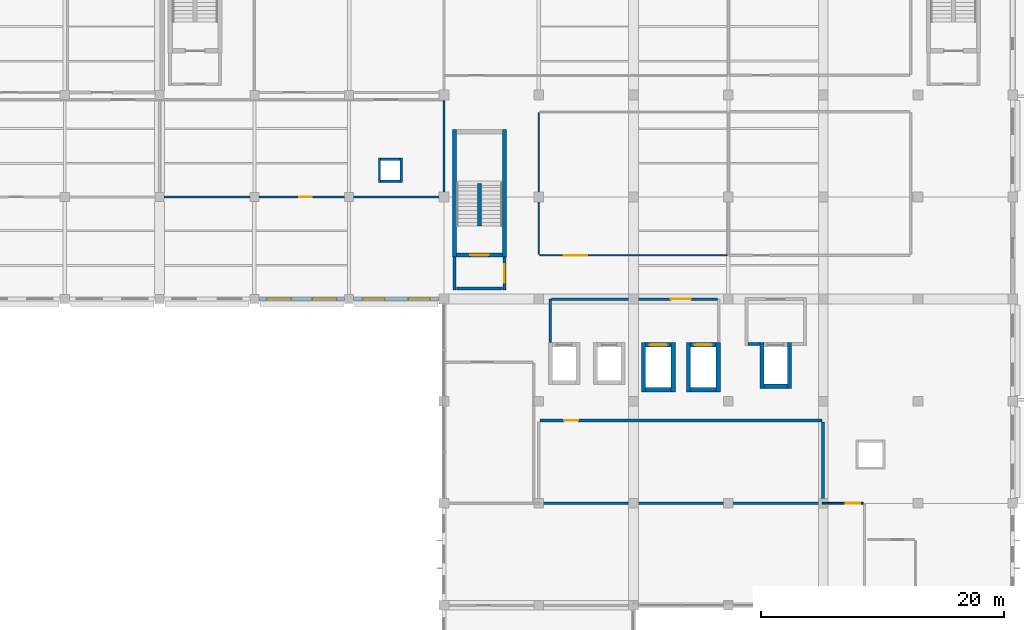
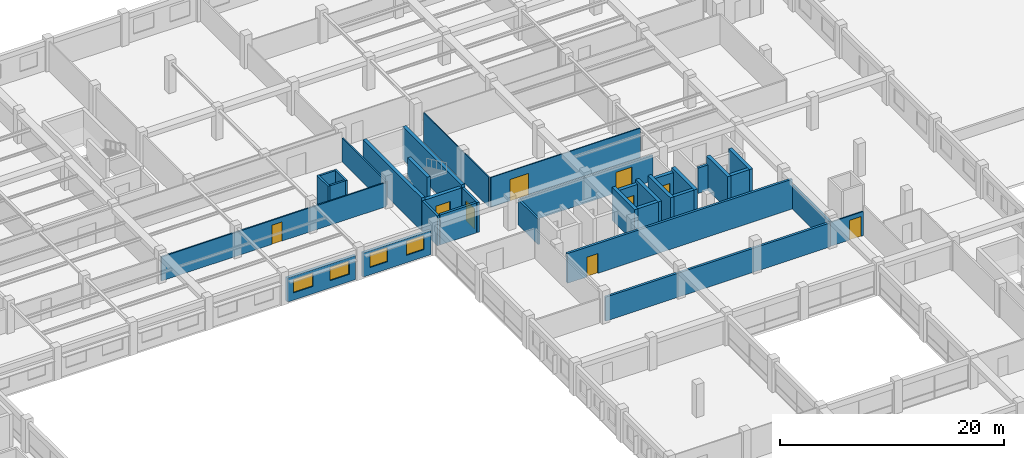
# One storey, part 41 of 50: 35 walls, 9 doors, 4 windows, 13 openings.
"""IFC4 building model written with IfcOpenShell, lengths in metres."""

import ifcopenshell
import ifcopenshell.guid

model = None  # the IFC model being written
_history = None  # IfcOwnerHistory: only IFC2X3 demands one
_inside = {}  # id of a spatial element -> (the spatial element, [elements in it])
_under = {}  # id of a project, library or spatial element -> (it, [spatial elements below it])
_declared = {}  # id of a project -> (the project, [libraries it declares])
_typed = {}  # id of a type object -> (the type object, [elements of that type])
_made_of = {}  # id of a material, layer set ... -> (it, [elements and type objects made of it])


def new_model(schema):
    """Start an empty IFC model of exactly this schema.

    Asked for "IFC4X3", IfcOpenShell would pick the latest addendum, in which some entities
    have other attributes; the version numbers below select the first issue.
    IFC2X3 requires an IfcOwnerHistory on every rooted entity: one is made here for all.
    """
    global model, _history
    if schema == "IFC4X3":
        model = ifcopenshell.file(schema_version=(4, 3, 0, 0))
    else:
        model = ifcopenshell.file(schema=schema)
    _inside.clear()
    _under.clear()
    _declared.clear()
    _typed.clear()
    _made_of.clear()
    _history = None
    if model.schema == "IFC2X3":
        org = make("IfcOrganization", Name="unknown")
        user = make(
            "IfcPersonAndOrganization",
            ThePerson=make("IfcPerson", FamilyName="unknown"),
            TheOrganization=org,
        )
        app = make(
            "IfcApplication",
            ApplicationDeveloper=org,
            Version="unknown",
            ApplicationFullName="unknown",
            ApplicationIdentifier="unknown",
        )
        _history = make(
            "IfcOwnerHistory",
            OwningUser=user,
            OwningApplication=app,
            ChangeAction="ADDED",
            CreationDate=0,
        )
    return model


def make(cls, **values):
    """One entity of the class cls with the attributes given. An attribute that is None is left unset."""
    return model.create_entity(
        cls, **{name: value for name, value in values.items() if value is not None}
    )


def rooted(cls, **values):
    """An entity with a GlobalId (a new one), such as an element, a storey or a relation."""
    return make(cls, GlobalId=ifcopenshell.guid.new(), OwnerHistory=_history, **values)


def si_unit(unit_type, name, prefix=None):
    """IfcSIUnit, for example si_unit("LENGTHUNIT", "METRE", prefix="MILLI")."""
    return make("IfcSIUnit", UnitType=unit_type, Prefix=prefix, Name=name)


def assignment(units):
    """IfcUnitAssignment: the units of a project."""
    return None if units is None else make("IfcUnitAssignment", Units=units)


def point(xyz):
    """IfcCartesianPoint."""
    return None if xyz is None else make("IfcCartesianPoint", Coordinates=xyz)


def direction(xyz):
    """IfcDirection."""
    return None if xyz is None else make("IfcDirection", DirectionRatios=xyz)


def frame(location, z_axis=None, x_axis=None):
    """IfcAxis2Placement3D, a coordinate frame: its origin and axes. An axis left out is left unset."""
    return make(
        "IfcAxis2Placement3D",
        Location=point(location),
        Axis=direction(z_axis),
        RefDirection=direction(x_axis),
    )


def frame_2d(location, x_axis=None):
    """IfcAxis2Placement2D, a coordinate frame in the plane: its origin and x axis."""
    return make(
        "IfcAxis2Placement2D", Location=point(location), RefDirection=direction(x_axis)
    )


def origin():
    """The frame at (0, 0, 0) with its axes left unset."""
    return frame((0.0, 0.0, 0.0))


def place(relative_to, where):
    """IfcLocalPlacement: puts the frame where relative to a parent placement (None: the world)."""
    return make(
        "IfcLocalPlacement", PlacementRelTo=relative_to, RelativePlacement=where
    )


def context(
    kind, dimensions, precision=None, world=None, true_north=None, identifier=None
):
    """IfcGeometricRepresentationContext, for example the 3D "Model" context."""
    return make(
        "IfcGeometricRepresentationContext",
        ContextIdentifier=identifier,
        ContextType=kind,
        CoordinateSpaceDimension=dimensions,
        Precision=precision,
        WorldCoordinateSystem=world,
        TrueNorth=true_north,
    )


def subcontext(parent, identifier, kind, view, scale=None):
    """IfcGeometricRepresentationSubContext, for example "Body" below "Model"."""
    return make(
        "IfcGeometricRepresentationSubContext",
        ContextIdentifier=identifier,
        ContextType=kind,
        ParentContext=parent,
        TargetScale=scale,
        TargetView=view,
    )


def project(units=None, contexts=None):
    """IfcProject with its units and contexts."""
    return rooted(
        "IfcProject",
        Name="project",
        RepresentationContexts=contexts,
        UnitsInContext=assignment(units),
    )


def spatial(cls, under=None, at=None, **own):
    """A site, building, storey or space (cls), placed at a placement, below another one or the project."""
    s = rooted(cls, ObjectPlacement=at, **own)
    if under is not None:
        _under.setdefault(under.id(), (under, []))[1].append(s)
    return s


def profile(cls, at=None, kind="AREA", **sizes):
    """A parametric profile (cls). Its sizes go by their IFC names, for example OverallWidth=200.0."""
    return make(cls, ProfileType=kind, Position=at, **sizes)


def rectangle(**sizes):
    """IfcRectangleProfileDef."""
    return profile("IfcRectangleProfileDef", **sizes)


def extrude(swept, where, along, depth):
    """IfcExtrudedAreaSolid: the profile swept, set in the frame where, extruded along a direction by depth."""
    return make(
        "IfcExtrudedAreaSolid",
        SweptArea=swept,
        Position=where,
        ExtrudedDirection=direction(along),
        Depth=depth,
    )


def shape(context_of_items, identifier, shape_type, items):
    """IfcShapeRepresentation: the items that make up one representation, for example the "Body"."""
    return make(
        "IfcShapeRepresentation",
        ContextOfItems=context_of_items,
        RepresentationIdentifier=identifier,
        RepresentationType=shape_type,
        Items=items,
    )


def material(Name=None, Category=None):
    """IfcMaterial."""
    return make("IfcMaterial", Name=Name, Category=Category)


def layer(
    of_material, thickness, ventilated=None, Name=None, Category=None, Priority=None
):
    """IfcMaterialLayer: one layer of a wall or slab, of a material (None: an air gap)."""
    return make(
        "IfcMaterialLayer",
        Material=of_material,
        LayerThickness=thickness,
        IsVentilated=ventilated,
        Name=Name,
        Category=Category,
        Priority=Priority,
    )


def layer_set(layers, Name=None):
    """IfcMaterialLayerSet."""
    return make("IfcMaterialLayerSet", MaterialLayers=layers, LayerSetName=Name)


def made_of(thing, what):
    """Note that an element or type object is made of a material, layer set ...; save() writes the relation."""
    if what is not None:
        _made_of.setdefault(what.id(), (what, []))[1].append(thing)
    return thing


def type_object(cls, material=None, **own):
    """A type object (cls), such as IfcWallType, which elements share."""
    return made_of(rooted(cls, **own), material)


def element(
    cls,
    number,
    at=None,
    inside=None,
    cuts=None,
    type_object=None,
    material=None,
    context=None,
    identifier="Body",
    shape_type=None,
    held_by="IfcProductDefinitionShape",
    body=None,
    shapes=None,
    **own,
):
    """One element of the class cls, such as IfcWall. Its Tag is "e" and its number.

    at: its placement. inside: the storey or other place that contains it. cuts: it is an
    opening in that element (IfcRelVoidsElement). A single representation is given by context,
    identifier, shape_type and body (its items); several are given by shapes. held_by: the class
    of the entity that holds the representations. save() writes the other relations.
    """
    e = rooted(cls, Tag="e%d" % number, ObjectPlacement=at, **own)
    if body is not None:
        shapes = [shape(context, identifier, shape_type, body)]
    if shapes is not None:
        e.Representation = make(held_by, Representations=shapes)
    if inside is not None:
        _inside.setdefault(inside.id(), (inside, []))[1].append(e)
    if cuts is not None:
        rooted(
            "IfcRelVoidsElement", RelatingBuildingElement=cuts, RelatedOpeningElement=e
        )
    if type_object is not None:
        _typed.setdefault(type_object.id(), (type_object, []))[1].append(e)
    return made_of(e, material)


def fill(opening, filler):
    """IfcRelFillsElement: the door or window that sits in an opening."""
    return rooted(
        "IfcRelFillsElement",
        RelatingOpeningElement=opening,
        RelatedBuildingElement=filler,
    )


def aggregate(whole, parts):
    """IfcRelAggregates: a whole, such as a stair, and the parts it consists of."""
    return rooted("IfcRelAggregates", RelatingObject=whole, RelatedObjects=parts)


def save(model, path):
    """Write the relations noted so far, then the file.

    IfcRelAggregates (storeys below a building ...), IfcRelContainedInSpatialStructure (elements
    in a storey), IfcRelDefinesByType, IfcRelAssociatesMaterial and IfcRelDeclares: one each for
    every whole, place, type object, material and project.
    """
    for whole, parts in _under.values():
        aggregate(whole, parts)
    for where, things in _inside.values():
        rooted(
            "IfcRelContainedInSpatialStructure",
            RelatedElements=things,
            RelatingStructure=where,
        )
    for kind, things in _typed.values():
        rooted("IfcRelDefinesByType", RelatedObjects=things, RelatingType=kind)
    for what, things in _made_of.values():
        rooted("IfcRelAssociatesMaterial", RelatedObjects=things, RelatingMaterial=what)
    for by, libraries in _declared.values():
        rooted("IfcRelDeclares", RelatingContext=by, RelatedDefinitions=libraries)
    model.write(path)


model = new_model("IFC4")

# Units and contexts
model_context = context("Model", 3, precision=1e-05, world=origin(), true_north=direction((0.0, 1.0)))
body_context = subcontext(model_context, "Body", "Model", "MODEL_VIEW")
ifc_project = project(units=[si_unit("LENGTHUNIT", "METRE"), si_unit("AREAUNIT", "SQUARE_METRE"), si_unit("VOLUMEUNIT", "CUBIC_METRE"), si_unit("PLANEANGLEUNIT", "RADIAN"), si_unit("MASSUNIT", "GRAM", prefix="KILO"), si_unit("THERMODYNAMICTEMPERATUREUNIT", "KELVIN"), si_unit("POWERUNIT", "WATT")], contexts=[model_context])

# Site, building, storey
site_placement = place(None, origin())
site = spatial("IfcSite", under=ifc_project, at=site_placement, CompositionType="ELEMENT")
building_placement = place(site_placement, origin())
building = spatial("IfcBuilding", under=site, at=building_placement, Name="Srebrne Nadtorze General Hospital", CompositionType="ELEMENT")
storey_placement = place(building_placement, frame((0.0, 0.0, 14.39990234375)))
storey = spatial("IfcBuildingStorey", under=building, at=storey_placement, Name="L03", CompositionType="ELEMENT", Elevation=14.39990234375)

# Wall, opening, door
ifc_material_1 = material(Name="Gypsum Healthcare Partition")
ifc_layer_1 = layer(ifc_material_1, 0.139892578125)
ifc_layer_set_1 = layer_set([ifc_layer_1], Name="Gypsum Healthcare Partition")
wall_type_1 = type_object("IfcWallType", Name="Clinical partition 140", PredefinedType="PARTITIONING", material=ifc_layer_set_1)
wall_1_placement = place(storey_placement, frame((78.0849609375, 58.800048828125, 0.0), z_axis=(0.0, 0.0, 1.0), x_axis=(1.0, 0.0, 0.0)))
wall_1 = element("IfcWall", 1, at=wall_1_placement, inside=storey, type_object=wall_type_1, Name="Clinical Perfusion Preparation Unit wall WL-INT-L03-1654", PredefinedType="PARTITIONING", context=body_context, shape_type="SweptSolid", body=[
    extrude(rectangle(XDim=23.22998046875, YDim=0.139892578125, at=frame_2d((11.614990234375, 0.0))), origin(), (0.0, 0.0, 1.0), 2.6201171875),
])
opening_1_placement = place(wall_1_placement, frame((11.389892578125, 0.0, 0.0)))
opening_1 = element("IfcOpeningElement", 2, at=opening_1_placement, cuts=wall_1, Name="Opening D-L03-0602", PredefinedType="OPENING", context=body_context, shape_type="SweptSolid", body=[
    extrude(rectangle(XDim=1.050048828125, YDim=2.10009765625, at=frame_2d((0.52490234375, 1.050048828125))), frame((0.0, 0.08203125, 0.0), z_axis=(0.0, -1.0, 0.0), x_axis=(1.0, 0.0, 0.0)), (0.0, 0.0, 1.0), 0.163818359375),
])
ifc_material_2 = material(Name="Anodised Aluminium", Category="aluminium")
door_type_1 = type_object("IfcDoorType", Name="Single leaf door 1050x2100", OperationType="NOTDEFINED", PredefinedType="DOOR", material=ifc_material_2)
door_1_placement = place(opening_1_placement, origin())
door_1 = element("IfcDoor", 3, at=door_1_placement, inside=storey, type_object=door_type_1, Name="Clinical Perfusion Preparation Unit link door D-L03-0602", OperationType="SINGLE_SWING_RIGHT", OverallHeight=2.10009765625, OverallWidth=1.050048828125, PredefinedType="DOOR", context=body_context, shape_type="SweptSolid", body=[
    extrude(rectangle(XDim=1.050048828125, YDim=2.10009765625, at=frame_2d((0.52490234375, 1.050048828125))), frame((0.0, 0.02490234375, 0.0), z_axis=(0.0, -1.0, 0.0), x_axis=(1.0, 0.0, 0.0)), (0.0, 0.0, 1.0), 0.050048828125),
])
fill(opening_1, door_1)

# Wall
wall_2_placement = place(storey_placement, frame((101.39990234375, 58.885009765625, 0.0), z_axis=(0.0, 0.0, 1.0), x_axis=(0.0, 1.0, 0.0)))
element("IfcWall", 4, at=wall_2_placement, inside=storey, type_object=wall_type_1, Name="Clinical Perfusion Preparation Unit wall WL-INT-L03-1655", PredefinedType="PARTITIONING", context=body_context, shape_type="SweptSolid", body=[
    extrude(rectangle(XDim=7.830078125, YDim=0.139892578125, at=frame_2d((3.9150390625, 0.0))), origin(), (0.0, 0.0, 1.0), 2.6201171875),
])

# Wall, opening, door
wall_3_placement = place(storey_placement, frame((132.530029296875, 33.60009765625, 0.0), z_axis=(0.0, 0.0, 1.0), x_axis=(1.0, 0.0, 0.0)))
wall_3 = element("IfcWall", 5, at=wall_3_placement, inside=storey, type_object=wall_type_1, Name="Outpatient Speech and Audiology Clinic wall WL-INT-L03-1666", PredefinedType="PARTITIONING", context=body_context, shape_type="SweptSolid", body=[
    extrude(rectangle(XDim=3.385009765625, YDim=0.139892578125, at=frame_2d((1.6923828125, 0.0))), origin(), (0.0, 0.0, 1.0), 2.6201171875),
])
opening_2_placement = place(wall_3_placement, frame((1.93505859375, 0.0, 0.0)))
opening_2 = element("IfcOpeningElement", 6, at=opening_2_placement, cuts=wall_3, Name="Opening D-L03-0283", PredefinedType="OPENING", context=body_context, shape_type="SweptSolid", body=[
    extrude(rectangle(XDim=1.199951171875, YDim=2.14990234375, at=frame_2d((0.60009765625, 1.074951171875))), frame((0.0, 0.08203125, 0.0), z_axis=(0.0, -1.0, 0.0), x_axis=(1.0, 0.0, 0.0)), (0.0, 0.0, 1.0), 0.163818359375),
])
ifc_material_3 = material(Name="Anodised Aluminium", Category="aluminium")
door_type_2 = type_object("IfcDoorType", Name="Single leaf door 1200x2150", OperationType="NOTDEFINED", PredefinedType="DOOR", material=ifc_material_3)
door_2_placement = place(opening_2_placement, frame((1.199951171875, 0.0, 0.0), z_axis=(0.0, 0.0, 1.0), x_axis=(-1.0, 0.0, 0.0)))
door_2 = element("IfcDoor", 7, at=door_2_placement, inside=storey, type_object=door_type_2, Name="Outpatient Speech and Audiology Clinic door D-L03-0283", OperationType="SINGLE_SWING_LEFT", OverallHeight=2.14990234375, OverallWidth=1.199951171875, PredefinedType="DOOR", context=body_context, shape_type="SweptSolid", body=[
    extrude(rectangle(XDim=1.199951171875, YDim=2.14990234375, at=frame_2d((0.60009765625, 1.074951171875))), frame((0.0, 0.02490234375, 0.0), z_axis=(0.0, -1.0, 0.0), x_axis=(1.0, 0.0, 0.0)), (0.0, 0.0, 1.0), 0.050048828125),
])
fill(opening_2, door_2)

# Wall
ifc_material_4 = material(Name="Gypsum Healthcare Partition")
ifc_layer_2 = layer(ifc_material_4, 0.199951171875)
ifc_layer_set_2 = layer_set([ifc_layer_2], Name="Gypsum Healthcare Partition")
wall_type_2 = type_object("IfcWallType", Name="Compartment wall 200", PredefinedType="STANDARD", material=ifc_layer_set_2)
wall_4_placement = place(storey_placement, frame((110.1298828125, 46.81005859375, 0.0), z_axis=(0.0, 0.0, 1.0), x_axis=(0.0, 1.0, 0.0)))
element("IfcWall", 8, at=wall_4_placement, inside=storey, type_object=wall_type_2, Name="Lift lobby side wall WL-INT-L03-1040", PredefinedType="STANDARD", context=body_context, shape_type="SweptSolid", body=[
    extrude(rectangle(XDim=3.58984375, YDim=0.199951171875, at=frame_2d((1.794921875, 0.0))), origin(), (0.0, 0.0, 1.0), 2.77001953125),
])

# Wall, opening, door
wall_5_placement = place(storey_placement, frame((110.22998046875, 50.39990234375, 0.0), z_axis=(0.0, 0.0, 1.0), x_axis=(1.0, 0.0, 0.0)))
wall_5 = element("IfcWall", 9, at=wall_5_placement, inside=storey, type_object=wall_type_2, Name="Lift lobby corridor wall WL-INT-L03-1042", PredefinedType="STANDARD", context=body_context, shape_type="SweptSolid", body=[
    extrude(rectangle(XDim=13.68994140625, YDim=0.199951171875, at=frame_2d((6.844970703125, 0.0))), origin(), (0.0, 0.0, 1.0), 2.77001953125),
])
opening_3_placement = place(wall_5_placement, frame((9.844970703125, 0.0, 0.0)))
opening_3 = element("IfcOpeningElement", 10, at=opening_3_placement, cuts=wall_5, Name="Opening D-L03-0141", PredefinedType="OPENING", context=body_context, shape_type="SweptSolid", body=[
    extrude(rectangle(XDim=1.64990234375, YDim=2.25, at=frame_2d((0.824951171875, 1.125))), frame((0.0, 0.11181640625, 0.0), z_axis=(0.0, -1.0, 0.0), x_axis=(1.0, 0.0, 0.0)), (0.0, 0.0, 1.0), 0.223876953125),
])
ifc_material_5 = material(Name="Anodised Aluminium", Category="aluminium")
door_type_3 = type_object("IfcDoorType", Name="Double leaf door 1650x2250", OperationType="DOUBLE_DOOR_SINGLE_SWING", PredefinedType="DOOR", material=ifc_material_5)
door_3_placement = place(opening_3_placement, origin())
door_3 = element("IfcDoor", 11, at=door_3_placement, inside=storey, type_object=door_type_3, Name="Lift lobby corridor door D-L03-0141", OperationType="DOUBLE_DOOR_SINGLE_SWING", OverallHeight=2.25, OverallWidth=1.64990234375, PredefinedType="DOOR", context=body_context, shape_type="SweptSolid", body=[
    extrude(rectangle(XDim=1.64990234375, YDim=2.25, at=frame_2d((0.824951171875, 1.125))), frame((0.0, 0.02490234375, 0.0), z_axis=(0.0, -1.0, 0.0), x_axis=(1.0, 0.0, 0.0)), (0.0, 0.0, 1.0), 0.050048828125),
])
fill(opening_3, door_3)

# Walls
for number, where, z_axis, x_axis, name in (
    (12, (96.10009765625, 60.0, 0.0), (0.0, 0.0, 1.0), (0.0, 1.0, 0.0), "MEP riser wall WL-INT-L03-1051"),
    (13, (97.89990234375, 60.0, 0.0), (0.0, 0.0, 1.0), (0.0, 1.0, 0.0), "MEP riser wall WL-INT-L03-1052"),
):
    element("IfcWall", number, at=place(storey_placement, frame(where, z_axis=z_axis, x_axis=x_axis)), inside=storey, type_object=wall_type_2, Name=name, PredefinedType="STANDARD", context=body_context, shape_type="SweptSolid", body=[
        extrude(rectangle(XDim=2.0, YDim=0.199951171875, at=frame_2d((1.0, 0.0))), origin(), (0.0, 0.0, 1.0), 3.27001953125),
    ])
for number, where, z_axis, x_axis, name in (
    (14, (96.199951171875, 60.10009765625, 0.0), (0.0, 0.0, 1.0), (1.0, 0.0, 0.0), "MEP riser wall WL-INT-L03-1053"),
    (15, (96.199951171875, 61.89990234375, 0.0), (0.0, 0.0, 1.0), (1.0, 0.0, 0.0), "MEP riser wall WL-INT-L03-1054"),
):
    element("IfcWall", number, at=place(storey_placement, frame(where, z_axis=z_axis, x_axis=x_axis)), inside=storey, type_object=wall_type_2, Name=name, PredefinedType="STANDARD", context=body_context, shape_type="SweptSolid", body=[
        extrude(rectangle(XDim=1.60009765625, YDim=0.199951171875, at=frame_2d((0.800048828125, 0.0))), origin(), (0.0, 0.0, 1.0), 3.27001953125),
    ])
ifc_material_6 = material(Name="Gypsum Healthcare Partition")
ifc_layer_3 = layer(ifc_material_6, 0.239990234375)
ifc_layer_set_3 = layer_set([ifc_layer_3], Name="Gypsum Healthcare Partition")
wall_type_3 = type_object("IfcWallType", Name="Corridor fire wall 240", PredefinedType="STANDARD", material=ifc_layer_set_3)
wall_6_placement = place(storey_placement, frame((102.27490234375, 51.155029296875, 0.0), z_axis=(0.0, 0.0, 1.0), x_axis=(0.0, 1.0, 0.0)))
element("IfcWall", 16, at=wall_6_placement, inside=storey, type_object=wall_type_3, Name="Fire lobby wall ST-03 WL-INT-L03-0261", PredefinedType="STANDARD", context=body_context, shape_type="SweptSolid", body=[
    extrude(rectangle(XDim=2.695068359375, YDim=0.239990234375, at=frame_2d((1.34765625, 0.0))), origin(), (0.0, 0.0, 1.0), 3.27001953125),
])

# Wall, opening, door
wall_7_placement = place(storey_placement, frame((106.375, 51.155029296875, 0.0), z_axis=(0.0, 0.0, 1.0), x_axis=(0.0, 1.0, 0.0)))
wall_7 = element("IfcWall", 17, at=wall_7_placement, inside=storey, type_object=wall_type_3, Name="Fire lobby wall ST-03 WL-INT-L03-0262", PredefinedType="STANDARD", context=body_context, shape_type="SweptSolid", body=[
    extrude(rectangle(XDim=2.695068359375, YDim=0.239990234375, at=frame_2d((1.34765625, 0.0))), origin(), (0.0, 0.0, 1.0), 3.27001953125),
])
opening_4_placement = place(wall_7_placement, frame((0.597412109375, 0.0, 0.0)))
opening_4 = element("IfcOpeningElement", 18, at=opening_4_placement, cuts=wall_7, Name="Opening D-L03-0066", PredefinedType="OPENING", context=body_context, shape_type="SweptSolid", body=[
    extrude(rectangle(XDim=1.5, YDim=2.199951171875, at=frame_2d((0.75, 1.10009765625))), frame((0.0, 0.1318359375, 0.0), z_axis=(0.0, -1.0, 0.0), x_axis=(1.0, 0.0, 0.0)), (0.0, 0.0, 1.0), 0.263916015625),
])
ifc_material_7 = material(Name="Anodised Aluminium", Category="aluminium")
door_type_4 = type_object("IfcDoorType", Name="Double leaf door 1500x2200", OperationType="DOUBLE_DOOR_SINGLE_SWING", PredefinedType="DOOR", material=ifc_material_7)
door_4_placement = place(opening_4_placement, origin())
door_4 = element("IfcDoor", 19, at=door_4_placement, inside=storey, type_object=door_type_4, Name="Fire lobby door ST-03 D-L03-0066", OperationType="DOUBLE_DOOR_SINGLE_SWING", OverallHeight=2.199951171875, OverallWidth=1.5, PredefinedType="DOOR", context=body_context, shape_type="SweptSolid", body=[
    extrude(rectangle(XDim=1.5, YDim=2.199951171875, at=frame_2d((0.75, 1.10009765625))), frame((0.0, 0.02490234375, 0.0), z_axis=(0.0, -1.0, 0.0), x_axis=(1.0, 0.0, 0.0)), (0.0, 0.0, 1.0), 0.050048828125),
])
fill(opening_4, door_4)

# Walls
wall_8_placement = place(storey_placement, frame((102.449951171875, 51.27490234375, 0.0), z_axis=(0.0, 0.0, 1.0), x_axis=(1.0, 0.0, 0.0)))
element("IfcWall", 20, at=wall_8_placement, inside=storey, type_object=wall_type_3, Name="Fire lobby entry wall ST-03 WL-INT-L03-0263", PredefinedType="STANDARD", context=body_context, shape_type="SweptSolid", body=[
    extrude(rectangle(XDim=3.75, YDim=0.239990234375, at=frame_2d((1.875, 0.0))), origin(), (0.0, 0.0, 1.0), 3.27001953125),
])
wall_9_placement = place(storey_placement, frame((126.39990234375, 46.68994140625, 0.0), z_axis=(0.0, 0.0, 1.0), x_axis=(1.0, 0.0, 0.0)))
element("IfcWall", 21, at=wall_9_placement, inside=storey, type_object=wall_type_3, Name="FF lift lobby return wall WL-INT-L03-1037", PredefinedType="STANDARD", context=body_context, shape_type="SweptSolid", body=[
    extrude(rectangle(XDim=1.0, YDim=0.239990234375, at=frame_2d((0.5, 0.0))), origin(), (0.0, 0.0, 1.0), 2.77001953125),
])

# Wall, opening, door
wall_10_placement = place(storey_placement, frame((109.31005859375, 40.39990234375, 0.0), z_axis=(0.0, 0.0, 1.0), x_axis=(1.0, 0.0, 0.0)))
wall_10 = element("IfcWall", 22, at=wall_10_placement, inside=storey, type_object=wall_type_3, Name="Ward Interstitial HVAC Plant Room wall WL-INT-L03-1615", PredefinedType="STANDARD", context=body_context, shape_type="SweptSolid", body=[
    extrude(rectangle(XDim=23.179931640625, YDim=0.239990234375, at=frame_2d((11.58984375, 0.0))), origin(), (0.0, 0.0, 1.0), 3.25),
])
opening_5_placement = place(wall_10_placement, frame((1.986328125, 0.0, 0.0)))
opening_5 = element("IfcOpeningElement", 23, at=opening_5_placement, cuts=wall_10, Name="Opening D-L03-0268", PredefinedType="OPENING", context=body_context, shape_type="SweptSolid", body=[
    extrude(rectangle(XDim=1.14990234375, YDim=2.14990234375, at=frame_2d((0.574951171875, 1.074951171875))), frame((0.0, 0.1318359375, 0.0), z_axis=(0.0, -1.0, 0.0), x_axis=(1.0, 0.0, 0.0)), (0.0, 0.0, 1.0), 0.263916015625),
])
ifc_material_8 = material(Name="Anodised Aluminium", Category="aluminium")
door_type_5 = type_object("IfcDoorType", Name="Single leaf door 1150x2150", OperationType="NOTDEFINED", PredefinedType="DOOR", material=ifc_material_8)
door_5_placement = place(opening_5_placement, frame((1.14990234375, 0.0, 0.0), z_axis=(0.0, 0.0, 1.0), x_axis=(-1.0, 0.0, 0.0)))
door_5 = element("IfcDoor", 24, at=door_5_placement, inside=storey, type_object=door_type_5, Name="Ward Interstitial HVAC Plant Room door D-L03-0268", OperationType="SINGLE_SWING_RIGHT", OverallHeight=2.14990234375, OverallWidth=1.14990234375, PredefinedType="DOOR", context=body_context, shape_type="SweptSolid", body=[
    extrude(rectangle(XDim=1.14990234375, YDim=2.14990234375, at=frame_2d((0.574951171875, 1.074951171875))), frame((0.0, 0.02490234375, 0.0), z_axis=(0.0, -1.0, 0.0), x_axis=(1.0, 0.0, 0.0)), (0.0, 0.0, 1.0), 0.050048828125),
])
fill(opening_5, door_5)

# Walls
wall_11_placement = place(storey_placement, frame((109.31005859375, 33.60009765625, 0.0), z_axis=(0.0, 0.0, 1.0), x_axis=(1.0, 0.0, 0.0)))
element("IfcWall", 25, at=wall_11_placement, inside=storey, type_object=wall_type_3, Name="Ward Interstitial HVAC Plant Room wall WL-INT-L03-1616", PredefinedType="STANDARD", context=body_context, shape_type="SweptSolid", body=[
    extrude(rectangle(XDim=23.179931640625, YDim=0.239990234375, at=frame_2d((11.58984375, 0.0))), origin(), (0.0, 0.0, 1.0), 2.6201171875),
])
wall_12_placement = place(storey_placement, frame((132.60009765625, 33.7099609375, 0.0), z_axis=(0.0, 0.0, 1.0), x_axis=(0.0, 1.0, 0.0)))
element("IfcWall", 26, at=wall_12_placement, inside=storey, type_object=wall_type_3, Name="Ward Interstitial HVAC Plant Room wall WL-INT-L03-1618", PredefinedType="STANDARD", context=body_context, shape_type="SweptSolid", body=[
    extrude(rectangle(XDim=6.580078125, YDim=0.239990234375, at=frame_2d((3.2900390625, 0.0))), origin(), (0.0, 0.0, 1.0), 2.6201171875),
])

# Wall, opening, door
ifc_material_9 = material(Name="Gypsum Healthcare Partition")
ifc_layer_4 = layer(ifc_material_9, 0.10009765625)
ifc_layer_set_4 = layer_set([ifc_layer_4], Name="Gypsum Healthcare Partition")
wall_type_4 = type_object("IfcWallType", Name="Shaft lining wall 100", PredefinedType="PARTITIONING", material=ifc_layer_set_4)
wall_13_placement = place(storey_placement, frame((109.284912109375, 54.0, 0.0), z_axis=(0.0, 0.0, 1.0), x_axis=(1.0, 0.0, 0.0)))
wall_13 = element("IfcWall", 27, at=wall_13_placement, inside=storey, type_object=wall_type_4, Name="Clinical Microbiology Laboratory wall WL-INT-L03-1608", PredefinedType="PARTITIONING", context=body_context, shape_type="SweptSolid", body=[
    extrude(rectangle(XDim=15.43017578125, YDim=0.10009765625, at=frame_2d((7.715087890625, 0.0))), origin(), (0.0, 0.0, 1.0), 3.25),
])
opening_6_placement = place(wall_13_placement, frame((1.9580078125, 0.0, 0.0)))
opening_6 = element("IfcOpeningElement", 28, at=opening_6_placement, cuts=wall_13, Name="Opening D-L03-0266", PredefinedType="OPENING", context=body_context, shape_type="SweptSolid", body=[
    extrude(rectangle(XDim=1.949951171875, YDim=2.35009765625, at=frame_2d((0.97509765625, 1.175048828125))), frame((0.0, 0.06201171875, 0.0), z_axis=(0.0, -1.0, 0.0), x_axis=(1.0, 0.0, 0.0)), (0.0, 0.0, 1.0), 0.1240234375),
])
ifc_material_10 = material(Name="Anodised Aluminium", Category="aluminium")
door_type_6 = type_object("IfcDoorType", Name="Double leaf door 1950x2350", OperationType="DOUBLE_DOOR_SINGLE_SWING", PredefinedType="DOOR", material=ifc_material_10)
door_6_placement = place(opening_6_placement, origin())
door_6 = element("IfcDoor", 29, at=door_6_placement, inside=storey, type_object=door_type_6, Name="Clinical Microbiology Laboratory door D-L03-0266", OperationType="DOUBLE_DOOR_SINGLE_SWING", OverallHeight=2.35009765625, OverallWidth=1.949951171875, PredefinedType="DOOR", context=body_context, shape_type="SweptSolid", body=[
    extrude(rectangle(XDim=1.949951171875, YDim=2.35009765625, at=frame_2d((0.97509765625, 1.175048828125))), frame((0.0, 0.02490234375, 0.0), z_axis=(0.0, -1.0, 0.0), x_axis=(1.0, 0.0, 0.0)), (0.0, 0.0, 1.0), 0.050048828125),
])
fill(opening_6, door_6)

# Walls
wall_14_placement = place(storey_placement, frame((109.199951171875, 54.0849609375, 0.0), z_axis=(0.0, 0.0, 1.0), x_axis=(0.0, 1.0, 0.0)))
element("IfcWall", 30, at=wall_14_placement, inside=storey, type_object=wall_type_4, Name="Clinical Microbiology Laboratory wall WL-INT-L03-1610", PredefinedType="PARTITIONING", context=body_context, shape_type="SweptSolid", body=[
    extrude(rectangle(XDim=11.630126953125, YDim=0.10009765625, at=frame_2d((5.81494140625, 0.0))), origin(), (0.0, 0.0, 1.0), 3.25),
])
ifc_material_11 = material(Name="Concrete C40/50", Category="concrete")
ifc_layer_5 = layer(ifc_material_11, 0.35009765625)
ifc_layer_set_5 = layer_set([ifc_layer_5], Name="Concrete C40/50")
wall_type_5 = type_object("IfcWallType", Name="Shear core wall 350", PredefinedType="SHEAR", material=ifc_layer_set_5)
for number, where, z_axis, x_axis, name in (
    (31, (102.27490234375, 53.85009765625, 0.0), (0.0, 0.0, 1.0), (0.0, 1.0, 0.0), "Stair core wall ST-03 WL-INT-L03-0257"),
    (32, (106.375, 53.85009765625, 0.0), (0.0, 0.0, 1.0), (0.0, 1.0, 0.0), "Stair core wall ST-03 WL-INT-L03-0258"),
):
    element("IfcWall", number, at=place(storey_placement, frame(where, z_axis=z_axis, x_axis=x_axis)), inside=storey, type_object=wall_type_5, Name=name, PredefinedType="SHEAR", context=body_context, shape_type="SweptSolid", body=[
        extrude(rectangle(XDim=10.5, YDim=0.35009765625, at=frame_2d((5.25, 0.0))), origin(), (0.0, 0.0, 1.0), 3.60009765625),
    ])

# Wall, opening, door
wall_15_placement = place(storey_placement, frame((102.449951171875, 54.02490234375, 0.0), z_axis=(0.0, 0.0, 1.0), x_axis=(1.0, 0.0, 0.0)))
wall_15 = element("IfcWall", 33, at=wall_15_placement, inside=storey, type_object=wall_type_5, Name="Stairwell fire wall ST-03 WL-INT-L03-0260", PredefinedType="SHEAR", context=body_context, shape_type="SweptSolid", body=[
    extrude(rectangle(XDim=3.75, YDim=0.35009765625, at=frame_2d((1.875, 0.0))), origin(), (0.0, 0.0, 1.0), 3.27001953125),
])
opening_7_placement = place(wall_15_placement, frame((1.125, 0.0, 0.0)))
opening_7 = element("IfcOpeningElement", 34, at=opening_7_placement, cuts=wall_15, Name="Opening D-L03-0065", PredefinedType="OPENING", context=body_context, shape_type="SweptSolid", body=[
    extrude(rectangle(XDim=1.5, YDim=2.199951171875, at=frame_2d((0.75, 1.10009765625))), frame((0.0, 0.18701171875, 0.0), z_axis=(0.0, -1.0, 0.0), x_axis=(1.0, 0.0, 0.0)), (0.0, 0.0, 1.0), 0.3740234375),
])
door_7_placement = place(opening_7_placement, origin())
door_7 = element("IfcDoor", 35, at=door_7_placement, inside=storey, type_object=door_type_4, Name="Protected stair door ST-03 D-L03-0065", OperationType="DOUBLE_DOOR_SINGLE_SWING", OverallHeight=2.199951171875, OverallWidth=1.5, PredefinedType="DOOR", context=body_context, shape_type="SweptSolid", body=[
    extrude(rectangle(XDim=1.5, YDim=2.199951171875, at=frame_2d((0.75, 1.10009765625))), frame((0.0, 0.02490234375, 0.0), z_axis=(0.0, -1.0, 0.0), x_axis=(1.0, 0.0, 0.0)), (0.0, 0.0, 1.0), 0.050048828125),
])
fill(opening_7, door_7)

# Walls
wall_16_placement = place(storey_placement, frame((104.324951171875, 56.39990234375, 0.0), z_axis=(0.0, 0.0, 1.0), x_axis=(0.0, 1.0, 0.0)))
element("IfcWall", 36, at=wall_16_placement, inside=storey, type_object=wall_type_5, Name="Stair spine wall ST-03 WL-INT-L03-0264", PredefinedType="SHEAR", context=body_context, shape_type="SweptSolid", body=[
    extrude(rectangle(XDim=3.52001953125, YDim=0.35009765625, at=frame_2d((1.760009765625, 0.0))), origin(), (0.0, 0.0, 1.0), 3.60009765625),
])
for number, where, z_axis, x_axis, name in (
    (37, (117.824951171875, 42.760009765625, 0.0), (0.0, 0.0, 1.0), (0.0, 1.0, 0.0), "Lift shaft wall LS-03 WL-INT-L03-0778"),
    (38, (120.27490234375, 42.760009765625, 0.0), (0.0, 0.0, 1.0), (0.0, 1.0, 0.0), "Lift shaft wall LS-03 WL-INT-L03-0779"),
):
    element("IfcWall", number, at=place(storey_placement, frame(where, z_axis=z_axis, x_axis=x_axis)), inside=storey, type_object=wall_type_5, Name=name, PredefinedType="SHEAR", context=body_context, shape_type="SweptSolid", body=[
        extrude(rectangle(XDim=4.050048828125, YDim=0.35009765625, at=frame_2d((2.02490234375, 0.0))), origin(), (0.0, 0.0, 1.0), 3.60009765625),
    ])
wall_17_placement = place(storey_placement, frame((118.0, 42.93505859375, 0.0), z_axis=(0.0, 0.0, 1.0), x_axis=(1.0, 0.0, 0.0)))
element("IfcWall", 39, at=wall_17_placement, inside=storey, type_object=wall_type_5, Name="Lift shaft back wall LS-03 WL-INT-L03-0780", PredefinedType="SHEAR", context=body_context, shape_type="SweptSolid", body=[
    extrude(rectangle(XDim=2.10009765625, YDim=0.35009765625, at=frame_2d((1.050048828125, 0.0))), origin(), (0.0, 0.0, 1.0), 3.60009765625),
])

# Wall, opening, door
wall_18_placement = place(storey_placement, frame((118.0, 46.635009765625, 0.0), z_axis=(0.0, 0.0, 1.0), x_axis=(1.0, 0.0, 0.0)))
wall_18 = element("IfcWall", 40, at=wall_18_placement, inside=storey, type_object=wall_type_5, Name="Lift shaft front wall LS-03 WL-INT-L03-0781", PredefinedType="SHEAR", context=body_context, shape_type="SweptSolid", body=[
    extrude(rectangle(XDim=2.10009765625, YDim=0.35009765625, at=frame_2d((1.050048828125, 0.0))), origin(), (0.0, 0.0, 1.0), 3.27001953125),
])
opening_8_placement = place(wall_18_placement, frame((0.35009765625, 0.0, 0.0)))
opening_8 = element("IfcOpeningElement", 41, at=opening_8_placement, cuts=wall_18, Name="Opening LD-L03-079", PredefinedType="OPENING", context=body_context, shape_type="SweptSolid", body=[
    extrude(rectangle(XDim=1.39990234375, YDim=2.199951171875, at=frame_2d((0.699951171875, 1.10009765625))), frame((0.0, 0.18701171875, 0.0), z_axis=(0.0, -1.0, 0.0), x_axis=(1.0, 0.0, 0.0)), (0.0, 0.0, 1.0), 0.3740234375),
])
ifc_material_12 = material(Name="Anodised Aluminium", Category="aluminium")
door_type_7 = type_object("IfcDoorType", Name="Sliding lift door 1400x2200", OperationType="SLIDING_TO_LEFT", PredefinedType="DOOR", material=ifc_material_12)
door_8_placement = place(opening_8_placement, origin())
door_8 = element("IfcDoor", 42, at=door_8_placement, inside=storey, type_object=door_type_7, Name="Lift Landing Door LD-L03-079", OperationType="SLIDING_TO_LEFT", OverallHeight=2.199951171875, OverallWidth=1.39990234375, PredefinedType="DOOR", context=body_context, shape_type="SweptSolid", body=[
    extrude(rectangle(XDim=1.39990234375, YDim=2.199951171875, at=frame_2d((0.699951171875, 1.10009765625))), frame((0.0, 0.02490234375, 0.0), z_axis=(0.0, -1.0, 0.0), x_axis=(1.0, 0.0, 0.0)), (0.0, 0.0, 1.0), 0.050048828125),
])
fill(opening_8, door_8)

# Walls
for number, where, z_axis, x_axis, name in (
    (43, (121.52490234375, 42.760009765625, 0.0), (0.0, 0.0, 1.0), (0.0, 1.0, 0.0), "Lift shaft wall LS-04 WL-INT-L03-0814"),
    (44, (123.97509765625, 42.760009765625, 0.0), (0.0, 0.0, 1.0), (0.0, 1.0, 0.0), "Lift shaft wall LS-04 WL-INT-L03-0815"),
):
    element("IfcWall", number, at=place(storey_placement, frame(where, z_axis=z_axis, x_axis=x_axis)), inside=storey, type_object=wall_type_5, Name=name, PredefinedType="SHEAR", context=body_context, shape_type="SweptSolid", body=[
        extrude(rectangle(XDim=4.050048828125, YDim=0.35009765625, at=frame_2d((2.02490234375, 0.0))), origin(), (0.0, 0.0, 1.0), 3.60009765625),
    ])
wall_19_placement = place(storey_placement, frame((121.699951171875, 42.93505859375, 0.0), z_axis=(0.0, 0.0, 1.0), x_axis=(1.0, 0.0, 0.0)))
element("IfcWall", 45, at=wall_19_placement, inside=storey, type_object=wall_type_5, Name="Lift shaft back wall LS-04 WL-INT-L03-0816", PredefinedType="SHEAR", context=body_context, shape_type="SweptSolid", body=[
    extrude(rectangle(XDim=2.10009765625, YDim=0.35009765625, at=frame_2d((1.050048828125, 0.0))), origin(), (0.0, 0.0, 1.0), 3.60009765625),
])

# Wall, opening, door
wall_20_placement = place(storey_placement, frame((121.699951171875, 46.635009765625, 0.0), z_axis=(0.0, 0.0, 1.0), x_axis=(1.0, 0.0, 0.0)))
wall_20 = element("IfcWall", 46, at=wall_20_placement, inside=storey, type_object=wall_type_5, Name="Lift shaft front wall LS-04 WL-INT-L03-0817", PredefinedType="SHEAR", context=body_context, shape_type="SweptSolid", body=[
    extrude(rectangle(XDim=2.10009765625, YDim=0.35009765625, at=frame_2d((1.050048828125, 0.0))), origin(), (0.0, 0.0, 1.0), 3.27001953125),
])
opening_9_placement = place(wall_20_placement, frame((0.35009765625, 0.0, 0.0)))
opening_9 = element("IfcOpeningElement", 47, at=opening_9_placement, cuts=wall_20, Name="Opening LD-L03-088", PredefinedType="OPENING", context=body_context, shape_type="SweptSolid", body=[
    extrude(rectangle(XDim=1.39990234375, YDim=2.199951171875, at=frame_2d((0.699951171875, 1.10009765625))), frame((0.0, 0.18701171875, 0.0), z_axis=(0.0, -1.0, 0.0), x_axis=(1.0, 0.0, 0.0)), (0.0, 0.0, 1.0), 0.3740234375),
])
door_9_placement = place(opening_9_placement, origin())
door_9 = element("IfcDoor", 48, at=door_9_placement, inside=storey, type_object=door_type_7, Name="Lift Landing Door LD-L03-088", OperationType="SLIDING_TO_LEFT", OverallHeight=2.199951171875, OverallWidth=1.39990234375, PredefinedType="DOOR", context=body_context, shape_type="SweptSolid", body=[
    extrude(rectangle(XDim=1.39990234375, YDim=2.199951171875, at=frame_2d((0.699951171875, 1.10009765625))), frame((0.0, 0.02490234375, 0.0), z_axis=(0.0, -1.0, 0.0), x_axis=(1.0, 0.0, 0.0)), (0.0, 0.0, 1.0), 0.050048828125),
])
fill(opening_9, door_9)

# Walls
for number, where, z_axis, x_axis, name in (
    (49, (127.574951171875, 43.06005859375, 0.0), (0.0, 0.0, 1.0), (0.0, 1.0, 0.0), "Lift shaft wall FL-03 WL-INT-L03-0850"),
    (50, (129.824951171875, 43.06005859375, 0.0), (0.0, 0.0, 1.0), (0.0, 1.0, 0.0), "Lift shaft wall FL-03 WL-INT-L03-0851"),
):
    element("IfcWall", number, at=place(storey_placement, frame(where, z_axis=z_axis, x_axis=x_axis)), inside=storey, type_object=wall_type_5, Name=name, PredefinedType="SHEAR", context=body_context, shape_type="SweptSolid", body=[
        extrude(rectangle(XDim=3.75, YDim=0.35009765625, at=frame_2d((1.875, 0.0))), origin(), (0.0, 0.0, 1.0), 3.60009765625),
    ])
wall_21_placement = place(storey_placement, frame((127.75, 43.235107421875, 0.0), z_axis=(0.0, 0.0, 1.0), x_axis=(1.0, 0.0, 0.0)))
element("IfcWall", 51, at=wall_21_placement, inside=storey, type_object=wall_type_5, Name="Lift shaft back wall FL-03 WL-INT-L03-0852", PredefinedType="SHEAR", context=body_context, shape_type="SweptSolid", body=[
    extrude(rectangle(XDim=1.89990234375, YDim=0.35009765625, at=frame_2d((0.949951171875, 0.0))), origin(), (0.0, 0.0, 1.0), 3.60009765625),
])

# Wall, openings, windows
ifc_material_13 = material(Name="Concrete C35/45 precast", Category="concrete")
ifc_layer_6 = layer(ifc_material_13, 0.280029296875)
ifc_layer_set_6 = layer_set([ifc_layer_6], Name="Concrete C35/45 precast")
wall_type_6 = type_object("IfcWallType", Name="Spandrel wall 280", PredefinedType="STANDARD", material=ifc_layer_set_6)
wall_22_placement = place(storey_placement, frame((86.175048828125, 50.39990234375, 0.0), z_axis=(0.0, 0.0, 1.0), x_axis=(1.0, 0.0, 0.0)))
wall_22 = element("IfcWall", 52, at=wall_22_placement, inside=storey, type_object=wall_type_6, Name="Exterior wall WL-ENV-L03-0296", PredefinedType="STANDARD", context=body_context, shape_type="SweptSolid", body=[
    extrude(rectangle(XDim=7.050048828125, YDim=0.280029296875, at=frame_2d((3.52490234375, 0.0))), origin(), (0.0, 0.0, 1.0), 2.6201171875),
])
opening_10_placement = place(wall_22_placement, frame((0.653076171875, 0.0, 0.800048828125)))
opening_10 = element("IfcOpeningElement", 53, at=opening_10_placement, cuts=wall_22, Name="Opening WN-L03-0419", PredefinedType="OPENING", context=body_context, shape_type="SweptSolid", body=[
    extrude(rectangle(XDim=2.0, YDim=1.449951171875, at=frame_2d((1.0, 0.72509765625))), frame((0.0, 0.15185546875, 0.0), z_axis=(0.0, -1.0, 0.0), x_axis=(1.0, 0.0, 0.0)), (0.0, 0.0, 1.0), 0.303955078125),
])
opening_11_placement = place(wall_22_placement, frame((4.39697265625, 0.0, 0.800048828125)))
opening_11 = element("IfcOpeningElement", 54, at=opening_11_placement, cuts=wall_22, Name="Opening WN-L03-0420", PredefinedType="OPENING", context=body_context, shape_type="SweptSolid", body=[
    extrude(rectangle(XDim=2.0, YDim=1.449951171875, at=frame_2d((1.0, 0.72509765625))), frame((0.0, 0.15185546875, 0.0), z_axis=(0.0, -1.0, 0.0), x_axis=(1.0, 0.0, 0.0)), (0.0, 0.0, 1.0), 0.303955078125),
])
ifc_material_14 = material(Name="Triple Low-E Glazing", Category="glass")
window_type_1 = type_object("IfcWindowType", Name="Punched clinical window 2000x1450", PartitioningType="DOUBLE_PANEL_VERTICAL", PredefinedType="WINDOW", material=ifc_material_14)
window_1_placement = place(opening_10_placement, origin())
window_1 = element("IfcWindow", 55, at=window_1_placement, inside=storey, type_object=window_type_1, Name="Clinical window WN-L03-0419", OverallHeight=1.449951171875, OverallWidth=2.0, PartitioningType="DOUBLE_PANEL_VERTICAL", PredefinedType="WINDOW", context=body_context, shape_type="SweptSolid", body=[
    extrude(rectangle(XDim=2.0, YDim=1.449951171875, at=frame_2d((1.0, 0.72509765625))), frame((0.0, 0.030029296875, 0.0), z_axis=(0.0, -1.0, 0.0), x_axis=(1.0, 0.0, 0.0)), (0.0, 0.0, 1.0), 0.06005859375),
])
fill(opening_10, window_1)
window_2_placement = place(opening_11_placement, origin())
window_2 = element("IfcWindow", 56, at=window_2_placement, inside=storey, type_object=window_type_1, Name="Clinical window WN-L03-0420", OverallHeight=1.449951171875, OverallWidth=2.0, PartitioningType="DOUBLE_PANEL_VERTICAL", PredefinedType="WINDOW", context=body_context, shape_type="SweptSolid", body=[
    extrude(rectangle(XDim=2.0, YDim=1.449951171875, at=frame_2d((1.0, 0.72509765625))), frame((0.0, 0.030029296875, 0.0), z_axis=(0.0, -1.0, 0.0), x_axis=(1.0, 0.0, 0.0)), (0.0, 0.0, 1.0), 0.06005859375),
])
fill(opening_11, window_2)

wall_23_placement = place(storey_placement, frame((93.97509765625, 50.39990234375, 0.0), z_axis=(0.0, 0.0, 1.0), x_axis=(1.0, 0.0, 0.0)))
wall_23 = element("IfcWall", 57, at=wall_23_placement, inside=storey, type_object=wall_type_6, Name="Exterior wall WL-ENV-L03-0297", PredefinedType="STANDARD", context=body_context, shape_type="SweptSolid", body=[
    extrude(rectangle(XDim=7.02490234375, YDim=0.280029296875, at=frame_2d((3.512451171875, 0.0))), origin(), (0.0, 0.0, 1.0), 2.6201171875),
])
opening_12_placement = place(wall_23_placement, frame((0.7529296875, 0.0, 0.800048828125)))
opening_12 = element("IfcOpeningElement", 58, at=opening_12_placement, cuts=wall_23, Name="Opening WN-L03-0421", PredefinedType="OPENING", context=body_context, shape_type="SweptSolid", body=[
    extrude(rectangle(XDim=1.800048828125, YDim=1.550048828125, at=frame_2d((0.89990234375, 0.77490234375))), frame((0.0, 0.15185546875, 0.0), z_axis=(0.0, -1.0, 0.0), x_axis=(1.0, 0.0, 0.0)), (0.0, 0.0, 1.0), 0.303955078125),
])
opening_13_placement = place(wall_23_placement, frame((4.4970703125, 0.0, 0.800048828125)))
opening_13 = element("IfcOpeningElement", 59, at=opening_13_placement, cuts=wall_23, Name="Opening WN-L03-0422", PredefinedType="OPENING", context=body_context, shape_type="SweptSolid", body=[
    extrude(rectangle(XDim=1.800048828125, YDim=1.550048828125, at=frame_2d((0.89990234375, 0.77490234375))), frame((0.0, 0.15185546875, 0.0), z_axis=(0.0, -1.0, 0.0), x_axis=(1.0, 0.0, 0.0)), (0.0, 0.0, 1.0), 0.303955078125),
])
ifc_material_15 = material(Name="Triple Low-E Glazing", Category="glass")
window_type_2 = type_object("IfcWindowType", Name="Punched clinical window 1800x1550", PartitioningType="DOUBLE_PANEL_VERTICAL", PredefinedType="WINDOW", material=ifc_material_15)
window_3_placement = place(opening_12_placement, origin())
window_3 = element("IfcWindow", 60, at=window_3_placement, inside=storey, type_object=window_type_2, Name="Clinical window WN-L03-0421", OverallHeight=1.550048828125, OverallWidth=1.800048828125, PartitioningType="DOUBLE_PANEL_VERTICAL", PredefinedType="WINDOW", context=body_context, shape_type="SweptSolid", body=[
    extrude(rectangle(XDim=1.800048828125, YDim=1.550048828125, at=frame_2d((0.89990234375, 0.77490234375))), frame((0.0, 0.030029296875, 0.0), z_axis=(0.0, -1.0, 0.0), x_axis=(1.0, 0.0, 0.0)), (0.0, 0.0, 1.0), 0.06005859375),
])
fill(opening_12, window_3)
window_4_placement = place(opening_13_placement, origin())
window_4 = element("IfcWindow", 61, at=window_4_placement, inside=storey, type_object=window_type_2, Name="Clinical window WN-L03-0422", OverallHeight=1.550048828125, OverallWidth=1.800048828125, PartitioningType="DOUBLE_PANEL_VERTICAL", PredefinedType="WINDOW", context=body_context, shape_type="SweptSolid", body=[
    extrude(rectangle(XDim=1.800048828125, YDim=1.550048828125, at=frame_2d((0.89990234375, 0.77490234375))), frame((0.0, 0.030029296875, 0.0), z_axis=(0.0, -1.0, 0.0), x_axis=(1.0, 0.0, 0.0)), (0.0, 0.0, 1.0), 0.06005859375),
])
fill(opening_13, window_4)

save(model, "model.ifc")
